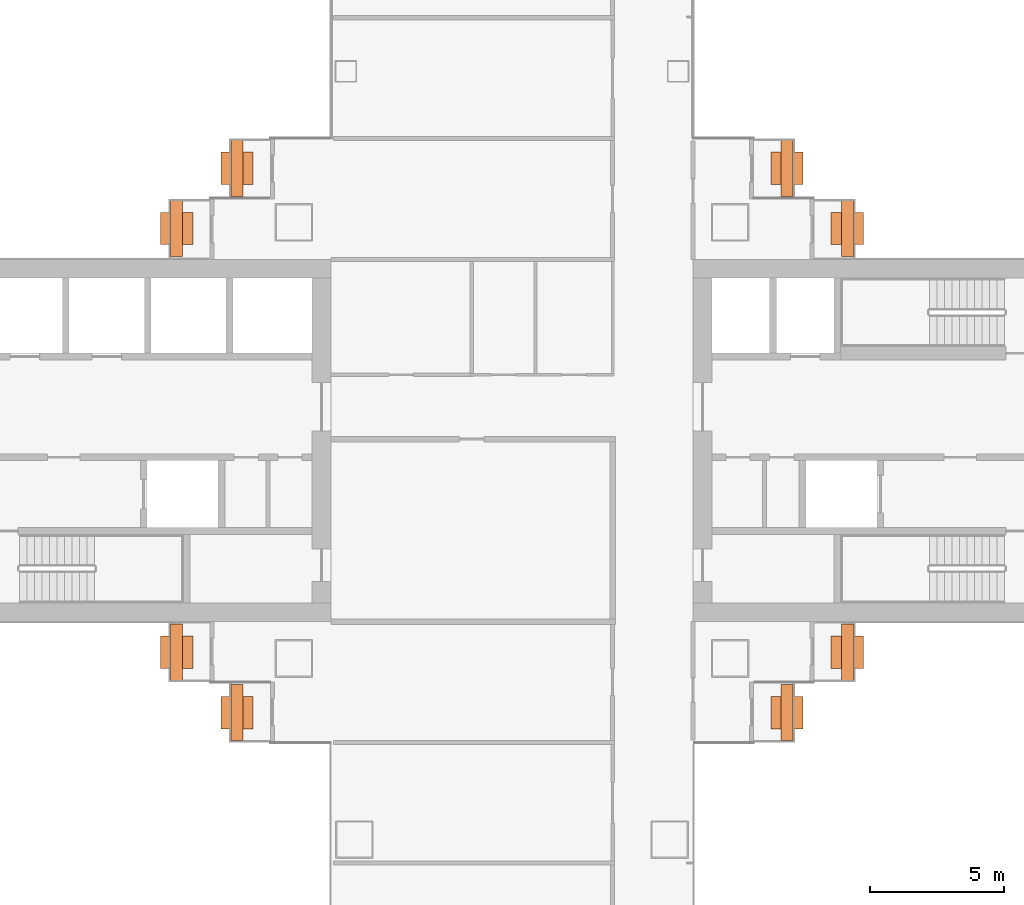
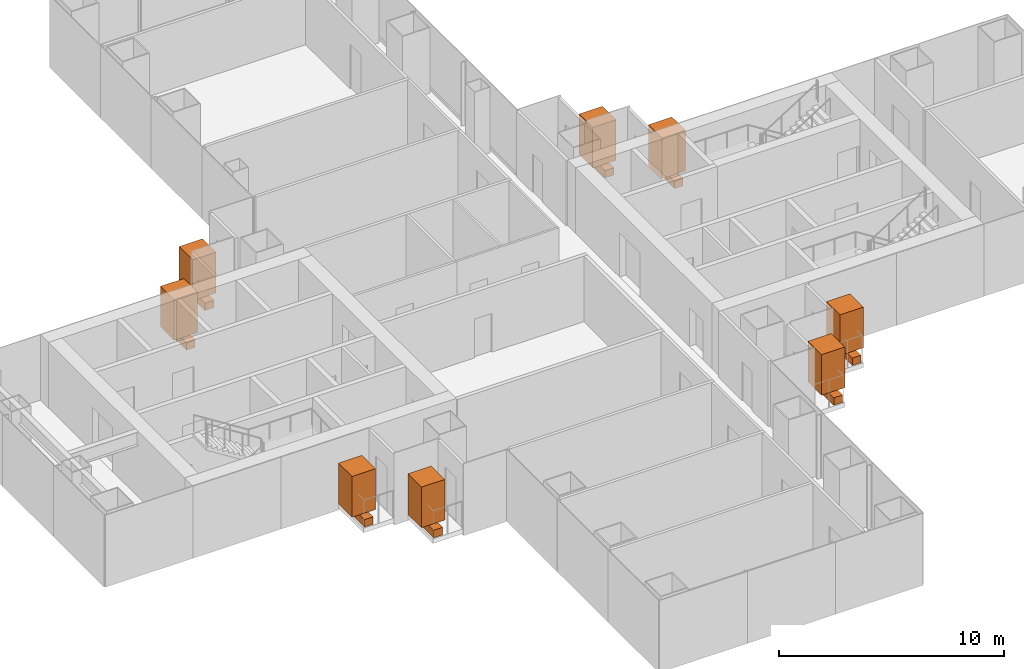
# One storey, part 21 of 21: 8 geographic elements, 8 proxies.
"""IFC4 building model written with IfcOpenShell, lengths in metres."""

from ifc_helpers import new_model, si_unit, direction, frame, origin, origin_2d, place, context, subcontext, project, spatial, rectangle, extrude, material, type_object, element, save


model = new_model("IFC4")

# Units and contexts
model_context = context("Model", 3, precision=1e-05, world=origin(), true_north=direction((0.0, 1.0)))
body_context = subcontext(model_context, "Body", "Model", "MODEL_VIEW")
ifc_project = project(units=[si_unit("LENGTHUNIT", "METRE"), si_unit("AREAUNIT", "SQUARE_METRE"), si_unit("VOLUMEUNIT", "CUBIC_METRE"), si_unit("PLANEANGLEUNIT", "RADIAN"), si_unit("MASSUNIT", "GRAM", prefix="KILO")], contexts=[model_context])

# Site, building, storey
site_placement = place(None, origin())
site = spatial("IfcSite", under=ifc_project, at=site_placement, CompositionType="ELEMENT")
building_placement = place(site_placement, origin())
building = spatial("IfcBuilding", under=site, at=building_placement, Name="Shamsa Quay Exchange Towers", CompositionType="ELEMENT")
storey_placement = place(building_placement, frame((0.0, 0.0, 49.800048828125)))
storey = spatial("IfcBuildingStorey", under=building, at=storey_placement, Name="L10", CompositionType="ELEMENT", Elevation=49.800048828125)

# Proxies
ifc_material_1 = material(Name="Reinforced concrete C30/37, black glass-fibre faced", Category="concrete")
building_element_proxy_type = type_object("IfcBuildingElementProxyType", Name="BALCONY PLANTER", PredefinedType="USERDEFINED", material=ifc_material_1)
for number, where, z_axis, x_axis, name in (
    (1, (23.5048828125, 10.14404296875, 0.0), (0.0, 0.0, 1.0), (0.0, -1.0, 0.0), "PLANTER T2-PKEN L10"),
    (2, (21.2548828125, 7.89404296875, 0.0), (0.0, 0.0, 1.0), (0.0, -1.0, 0.0), "PLANTER T2-PKEN L10"),
    (3, (43.9951171875, 10.14404296875, 0.0), (0.0, 0.0, 1.0), (0.0, 1.0, 0.0), "PLANTER T2-PKES L10"),
    (4, (46.2451171875, 7.89404296875, 0.0), (0.0, 0.0, 1.0), (0.0, 1.0, 0.0), "PLANTER T2-PKES L10"),
    (5, (21.2548828125, -7.89404296875, 0.0), (0.0, 0.0, 1.0), (0.0, -1.0, 0.0), "PLANTER T2-PKWN L10"),
    (6, (23.5048828125, -10.14404296875, 0.0), (0.0, 0.0, 1.0), (0.0, -1.0, 0.0), "PLANTER T2-PKWN L10"),
    (7, (43.9951171875, -10.14404296875, 0.0), (0.0, 0.0, 1.0), (0.0, 1.0, 0.0), "PLANTER T2-PKWS L10"),
    (8, (46.2451171875, -7.89404296875, 0.0), (0.0, 0.0, 1.0), (0.0, 1.0, 0.0), "PLANTER T2-PKWS L10"),
):
    element("IfcBuildingElementProxy", number, at=place(storey_placement, frame(where, z_axis=z_axis, x_axis=x_axis)), inside=storey, type_object=building_element_proxy_type, Name=name, ObjectType="PLANTER", PredefinedType="USERDEFINED", context=body_context, shape_type="SweptSolid", body=[
        extrude(rectangle(XDim=2.092041015625, YDim=0.449951171875, at=origin_2d()), origin(), (0.0, 0.0, 1.0), 0.39990234375),
    ])

# Geographic elements
ifc_material_2 = material(Name="Planting")
geographic_element_type = type_object("IfcGeographicElementType", Name="BALCONY TREE", PredefinedType="USERDEFINED", material=ifc_material_2)
for number, where, z_axis, x_axis, name in (
    (9, (23.5048828125, 10.14404296875, 0.39990234375), (0.0, 0.0, 1.0), (0.0, -1.0, 0.0), "TREE T2-PKEN L10"),
    (10, (21.2548828125, 7.89404296875, 0.39990234375), (0.0, 0.0, 1.0), (0.0, -1.0, 0.0), "TREE T2-PKEN L10"),
    (11, (43.9951171875, 10.14404296875, 0.39990234375), (0.0, 0.0, 1.0), (0.0, 1.0, 0.0), "TREE T2-PKES L10"),
    (12, (46.2451171875, 7.89404296875, 0.39990234375), (0.0, 0.0, 1.0), (0.0, 1.0, 0.0), "TREE T2-PKES L10"),
    (13, (21.2548828125, -7.89404296875, 0.39990234375), (0.0, 0.0, 1.0), (0.0, -1.0, 0.0), "TREE T2-PKWN L10"),
    (14, (23.5048828125, -10.14404296875, 0.39990234375), (0.0, 0.0, 1.0), (0.0, -1.0, 0.0), "TREE T2-PKWN L10"),
    (15, (43.9951171875, -10.14404296875, 0.39990234375), (0.0, 0.0, 1.0), (0.0, 1.0, 0.0), "TREE T2-PKWS L10"),
    (16, (46.2451171875, -7.89404296875, 0.39990234375), (0.0, 0.0, 1.0), (0.0, 1.0, 0.0), "TREE T2-PKWS L10"),
):
    element("IfcGeographicElement", number, at=place(storey_placement, frame(where, z_axis=z_axis, x_axis=x_axis)), inside=storey, type_object=geographic_element_type, Name=name, ObjectType="TREE", PredefinedType="USERDEFINED", context=body_context, shape_type="SweptSolid", body=[
        extrude(rectangle(XDim=1.199951171875, YDim=1.199951171875, at=origin_2d()), origin(), (0.0, 0.0, 1.0), 2.199951171875),
    ])

save(model, "model.ifc")
